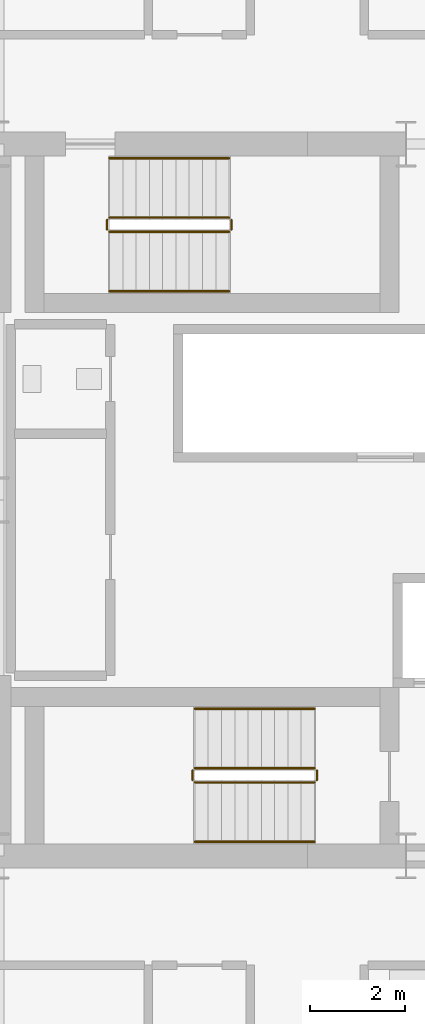
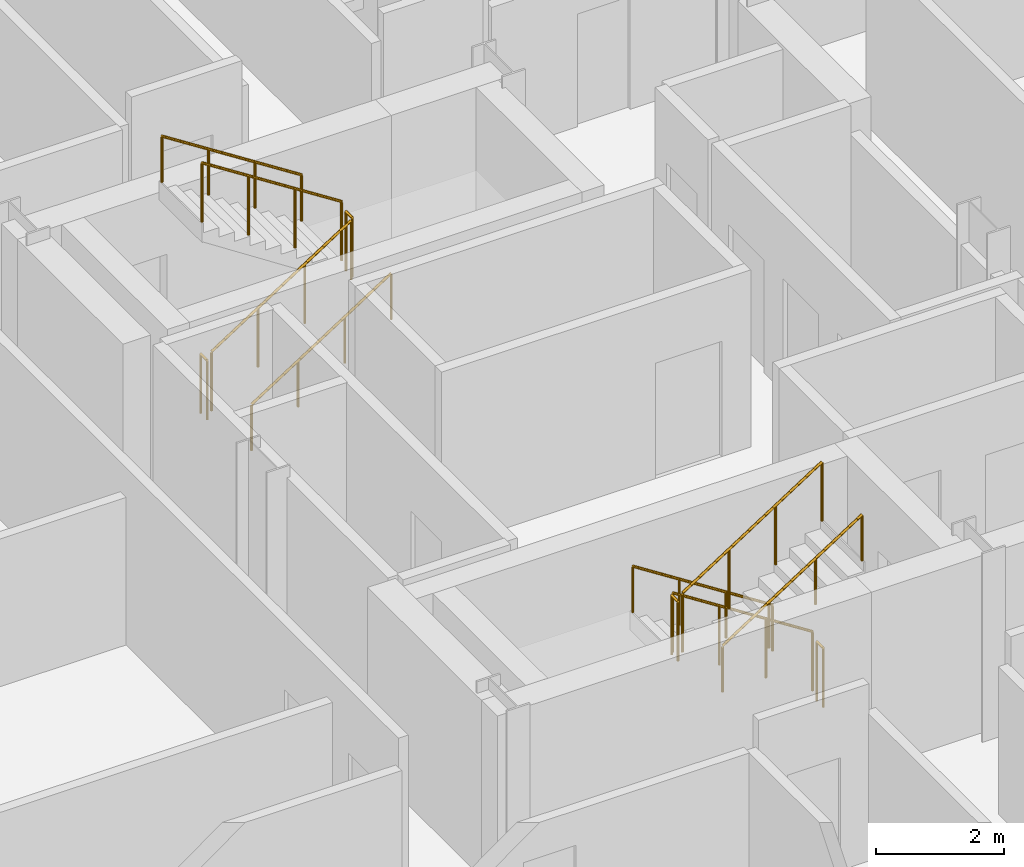
# One storey, part 18 of 19: 12 railings.
"""IFC4 building model written with IfcOpenShell, lengths in metres."""

from ifc_helpers import new_model, si_unit, direction, frame, origin, origin_2d, place, context, subcontext, project, spatial, circle, extrude, material, type_object, element, save


model = new_model("IFC4")

# Units and contexts
model_context = context("Model", 3, precision=1e-05, world=origin(), true_north=direction((0.0, 1.0)))
body_context = subcontext(model_context, "Body", "Model", "MODEL_VIEW")
ifc_project = project(units=[si_unit("LENGTHUNIT", "METRE"), si_unit("AREAUNIT", "SQUARE_METRE"), si_unit("VOLUMEUNIT", "CUBIC_METRE"), si_unit("PLANEANGLEUNIT", "RADIAN"), si_unit("MASSUNIT", "GRAM", prefix="KILO")], contexts=[model_context])

# Site, building, storey
site_placement = place(None, origin())
site = spatial("IfcSite", under=ifc_project, at=site_placement, CompositionType="ELEMENT")
building_placement = place(site_placement, origin())
building = spatial("IfcBuilding", under=site, at=building_placement, Name="Barlavira Tower and Art Museum", CompositionType="ELEMENT")
storey_placement = place(building_placement, frame((0.0, 0.0, 158.39990234375)))
storey = spatial("IfcBuildingStorey", under=building, at=storey_placement, Name="L40", CompositionType="ELEMENT", Elevation=158.39990234375)

# Railings
ifc_material = material(Name="Brushed stainless steel", Category="steel")
railing_type_1 = type_object("IfcRailingType", Name="Interior Void and Landing Guard Railing 1150", PredefinedType="GUARDRAIL", material=ifc_material)
railing_1_placement = place(storey_placement, frame((0.14990234375, -5.64990234375, 0.18017578125)))
element("IfcRailing", 1, at=railing_1_placement, inside=storey, type_object=railing_type_1, Name="L40 ST-T1 stair guard 1", PredefinedType="GUARDRAIL", context=body_context, shape_type="SweptSolid", body=[
    extrude(circle(Radius=0.02392578125, at=origin_2d()), frame((0.0, 0.0, 1.1259765625), z_axis=(-0.841199657755, 0.0, 0.540724639528), x_axis=(0.0, -1.0, 0.0)), (0.0, 0.0, 1.0), 2.995849609375),
    extrude(circle(Radius=0.02099609375, at=origin_2d()), origin(), (0.0, 0.0, 1.0), 1.101806640625),
    extrude(circle(Radius=0.02099609375, at=origin_2d()), frame((-0.840087890625, 0.0, 0.5400390625)), (0.0, 0.0, 1.0), 1.101806640625),
    extrude(circle(Radius=0.02099609375, at=origin_2d()), frame((-1.679931640625, 0.0, 1.079833984375)), (0.0, 0.0, 1.0), 1.101806640625),
    extrude(circle(Radius=0.02099609375, at=origin_2d()), frame((-2.52001953125, 0.0, 1.619873046875)), (0.0, 0.0, 1.0), 1.101806640625),
])
railing_2_placement = place(storey_placement, frame((-2.419921875, -5.699951171875, 1.800048828125)))
element("IfcRailing", 2, at=railing_2_placement, inside=storey, type_object=railing_type_1, Name="L40 ST-T1 stair guard 2", PredefinedType="GUARDRAIL", context=body_context, shape_type="SweptSolid", body=[
    extrude(circle(Radius=0.02392578125, at=origin_2d()), frame((0.0, 0.0, 1.1259765625), z_axis=(0.0, -1.0, 0.0), x_axis=(1.0, 0.0, 0.0)), (0.0, 0.0, 1.0), 0.199951171875),
    extrude(circle(Radius=0.02099609375, at=origin_2d()), origin(), (0.0, 0.0, 1.0), 1.101806640625),
    extrude(circle(Radius=0.02099609375, at=origin_2d()), frame((0.0, -0.199951171875, 0.0)), (0.0, 0.0, 1.0), 1.101806640625),
])
railing_3_placement = place(storey_placement, frame((-2.3701171875, -5.949951171875, 1.97998046875)))
element("IfcRailing", 3, at=railing_3_placement, inside=storey, type_object=railing_type_1, Name="L40 ST-T1 stair guard 3", PredefinedType="GUARDRAIL", context=body_context, shape_type="SweptSolid", body=[
    extrude(circle(Radius=0.02392578125, at=origin_2d()), frame((0.0, 0.0, 1.1259765625), z_axis=(0.841162588446, 0.0, 0.540782303519), x_axis=(0.0, 1.0, 0.0)), (0.0, 0.0, 1.0), 2.995849609375),
    extrude(circle(Radius=0.02099609375, at=origin_2d()), origin(), (0.0, 0.0, 1.0), 1.101806640625),
    extrude(circle(Radius=0.02099609375, at=origin_2d()), frame((0.840087890625, 0.0, 0.5400390625)), (0.0, 0.0, 1.0), 1.101806640625),
    extrude(circle(Radius=0.02099609375, at=origin_2d()), frame((1.679931640625, 0.0, 1.080078125)), (0.0, 0.0, 1.0), 1.101806640625),
    extrude(circle(Radius=0.02099609375, at=origin_2d()), frame((2.52001953125, 0.0, 1.6201171875)), (0.0, 0.0, 1.0), 1.101806640625),
])
railing_4_placement = place(storey_placement, frame((0.199951171875, -5.699951171875, 0.0)))
element("IfcRailing", 4, at=railing_4_placement, inside=storey, type_object=railing_type_1, Name="L40 ST-T1 stair guard 4", PredefinedType="GUARDRAIL", context=body_context, shape_type="SweptSolid", body=[
    extrude(circle(Radius=0.02392578125, at=origin_2d()), frame((0.0, 0.0, 1.1259765625), z_axis=(0.0, -1.0, 0.0), x_axis=(1.0, 0.0, 0.0)), (0.0, 0.0, 1.0), 0.199951171875),
    extrude(circle(Radius=0.02099609375, at=origin_2d()), origin(), (0.0, 0.0, 1.0), 1.101806640625),
    extrude(circle(Radius=0.02099609375, at=origin_2d()), frame((0.0, -0.199951171875, 0.0)), (0.0, 0.0, 1.0), 1.101806640625),
])
railing_5_placement = place(storey_placement, frame((-4.169921875, 5.64990234375, 0.18017578125)))
element("IfcRailing", 5, at=railing_5_placement, inside=storey, type_object=railing_type_1, Name="L40 ST-T2 stair guard 1", PredefinedType="GUARDRAIL", context=body_context, shape_type="SweptSolid", body=[
    extrude(circle(Radius=0.02392578125, at=origin_2d()), frame((0.0, 0.0, 1.1259765625), z_axis=(0.841199657755, 0.0, 0.540724639528), x_axis=(0.0, 1.0, 0.0)), (0.0, 0.0, 1.0), 2.995849609375),
    extrude(circle(Radius=0.02099609375, at=origin_2d()), origin(), (0.0, 0.0, 1.0), 1.101806640625),
    extrude(circle(Radius=0.02099609375, at=origin_2d()), frame((0.840087890625, 0.0, 0.5400390625)), (0.0, 0.0, 1.0), 1.101806640625),
    extrude(circle(Radius=0.02099609375, at=origin_2d()), frame((1.679931640625, 0.0, 1.079833984375)), (0.0, 0.0, 1.0), 1.101806640625),
    extrude(circle(Radius=0.02099609375, at=origin_2d()), frame((2.52001953125, 0.0, 1.619873046875)), (0.0, 0.0, 1.0), 1.101806640625),
])
railing_6_placement = place(storey_placement, frame((-1.60009765625, 5.699951171875, 1.800048828125)))
element("IfcRailing", 6, at=railing_6_placement, inside=storey, type_object=railing_type_1, Name="L40 ST-T2 stair guard 2", PredefinedType="GUARDRAIL", context=body_context, shape_type="SweptSolid", body=[
    extrude(circle(Radius=0.02392578125, at=origin_2d()), frame((0.0, 0.0, 1.1259765625), z_axis=(0.0, 1.0, 0.0), x_axis=(-1.0, 0.0, 0.0)), (0.0, 0.0, 1.0), 0.199951171875),
    extrude(circle(Radius=0.02099609375, at=origin_2d()), origin(), (0.0, 0.0, 1.0), 1.101806640625),
    extrude(circle(Radius=0.02099609375, at=origin_2d()), frame((0.0, 0.199951171875, 0.0)), (0.0, 0.0, 1.0), 1.101806640625),
])
railing_7_placement = place(storey_placement, frame((-1.64990234375, 5.949951171875, 1.97998046875)))
element("IfcRailing", 7, at=railing_7_placement, inside=storey, type_object=railing_type_1, Name="L40 ST-T2 stair guard 3", PredefinedType="GUARDRAIL", context=body_context, shape_type="SweptSolid", body=[
    extrude(circle(Radius=0.02392578125, at=origin_2d()), frame((0.0, 0.0, 1.1259765625), z_axis=(-0.841162588446, 0.0, 0.540782303519), x_axis=(0.0, -1.0, 0.0)), (0.0, 0.0, 1.0), 2.995849609375),
    extrude(circle(Radius=0.02099609375, at=origin_2d()), origin(), (0.0, 0.0, 1.0), 1.101806640625),
    extrude(circle(Radius=0.02099609375, at=origin_2d()), frame((-0.840087890625, 0.0, 0.5400390625)), (0.0, 0.0, 1.0), 1.101806640625),
    extrude(circle(Radius=0.02099609375, at=origin_2d()), frame((-1.679931640625, 0.0, 1.080078125)), (0.0, 0.0, 1.0), 1.101806640625),
    extrude(circle(Radius=0.02099609375, at=origin_2d()), frame((-2.52001953125, 0.0, 1.6201171875)), (0.0, 0.0, 1.0), 1.101806640625),
])
railing_8_placement = place(storey_placement, frame((-4.219970703125, 5.699951171875, 0.0)))
element("IfcRailing", 8, at=railing_8_placement, inside=storey, type_object=railing_type_1, Name="L40 ST-T2 stair guard 4", PredefinedType="GUARDRAIL", context=body_context, shape_type="SweptSolid", body=[
    extrude(circle(Radius=0.02392578125, at=origin_2d()), frame((0.0, 0.0, 1.1259765625), z_axis=(0.0, 1.0, 0.0), x_axis=(-1.0, 0.0, 0.0)), (0.0, 0.0, 1.0), 0.199951171875),
    extrude(circle(Radius=0.02099609375, at=origin_2d()), origin(), (0.0, 0.0, 1.0), 1.101806640625),
    extrude(circle(Radius=0.02099609375, at=origin_2d()), frame((0.0, 0.199951171875, 0.0)), (0.0, 0.0, 1.0), 1.101806640625),
])
railing_type_2 = type_object("IfcRailingType", Name="Stair Pitch Tubular Steel Handrail 920", PredefinedType="HANDRAIL", material=ifc_material)
railing_9_placement = place(storey_placement, frame((0.14990234375, -4.39990234375, 0.18017578125)))
element("IfcRailing", 9, at=railing_9_placement, inside=storey, type_object=railing_type_2, Name="L40 ST-T1 stair handrail 1", PredefinedType="HANDRAIL", context=body_context, shape_type="SweptSolid", body=[
    extrude(circle(Radius=0.02392578125, at=origin_2d()), frame((0.0, 0.0, 0.8759765625), z_axis=(-0.841199657755, 0.0, 0.540724639528), x_axis=(0.0, -1.0, 0.0)), (0.0, 0.0, 1.0), 2.995849609375),
    extrude(circle(Radius=0.02099609375, at=origin_2d()), origin(), (0.0, 0.0, 1.0), 0.851806640625),
    extrude(circle(Radius=0.02099609375, at=origin_2d()), frame((-0.840087890625, 0.0, 0.5400390625)), (0.0, 0.0, 1.0), 0.851806640625),
    extrude(circle(Radius=0.02099609375, at=origin_2d()), frame((-1.679931640625, 0.0, 1.079833984375)), (0.0, 0.0, 1.0), 0.851806640625),
    extrude(circle(Radius=0.02099609375, at=origin_2d()), frame((-2.52001953125, 0.0, 1.619873046875)), (0.0, 0.0, 1.0), 0.851806640625),
])
railing_10_placement = place(storey_placement, frame((-2.3701171875, -7.199951171875, 1.97998046875)))
element("IfcRailing", 10, at=railing_10_placement, inside=storey, type_object=railing_type_2, Name="L40 ST-T1 stair handrail 2", PredefinedType="HANDRAIL", context=body_context, shape_type="SweptSolid", body=[
    extrude(circle(Radius=0.02392578125, at=origin_2d()), frame((0.0, 0.0, 0.8759765625), z_axis=(0.841162588446, 0.0, 0.540782303519), x_axis=(0.0, 1.0, 0.0)), (0.0, 0.0, 1.0), 2.995849609375),
    extrude(circle(Radius=0.02099609375, at=origin_2d()), origin(), (0.0, 0.0, 1.0), 0.851806640625),
    extrude(circle(Radius=0.02099609375, at=origin_2d()), frame((0.840087890625, 0.0, 0.5400390625)), (0.0, 0.0, 1.0), 0.851806640625),
    extrude(circle(Radius=0.02099609375, at=origin_2d()), frame((1.679931640625, 0.0, 1.080078125)), (0.0, 0.0, 1.0), 0.851806640625),
    extrude(circle(Radius=0.02099609375, at=origin_2d()), frame((2.52001953125, 0.0, 1.6201171875)), (0.0, 0.0, 1.0), 0.851806640625),
])
railing_11_placement = place(storey_placement, frame((-4.169921875, 4.39990234375, 0.18017578125)))
element("IfcRailing", 11, at=railing_11_placement, inside=storey, type_object=railing_type_2, Name="L40 ST-T2 stair handrail 1", PredefinedType="HANDRAIL", context=body_context, shape_type="SweptSolid", body=[
    extrude(circle(Radius=0.02392578125, at=origin_2d()), frame((0.0, 0.0, 0.8759765625), z_axis=(0.841199657755, 0.0, 0.540724639528), x_axis=(0.0, 1.0, 0.0)), (0.0, 0.0, 1.0), 2.995849609375),
    extrude(circle(Radius=0.02099609375, at=origin_2d()), origin(), (0.0, 0.0, 1.0), 0.851806640625),
    extrude(circle(Radius=0.02099609375, at=origin_2d()), frame((0.840087890625, 0.0, 0.5400390625)), (0.0, 0.0, 1.0), 0.851806640625),
    extrude(circle(Radius=0.02099609375, at=origin_2d()), frame((1.679931640625, 0.0, 1.079833984375)), (0.0, 0.0, 1.0), 0.851806640625),
    extrude(circle(Radius=0.02099609375, at=origin_2d()), frame((2.52001953125, 0.0, 1.619873046875)), (0.0, 0.0, 1.0), 0.851806640625),
])
railing_12_placement = place(storey_placement, frame((-1.64990234375, 7.199951171875, 1.97998046875)))
element("IfcRailing", 12, at=railing_12_placement, inside=storey, type_object=railing_type_2, Name="L40 ST-T2 stair handrail 2", PredefinedType="HANDRAIL", context=body_context, shape_type="SweptSolid", body=[
    extrude(circle(Radius=0.02392578125, at=origin_2d()), frame((0.0, 0.0, 0.8759765625), z_axis=(-0.841162588446, 0.0, 0.540782303519), x_axis=(0.0, -1.0, 0.0)), (0.0, 0.0, 1.0), 2.995849609375),
    extrude(circle(Radius=0.02099609375, at=origin_2d()), origin(), (0.0, 0.0, 1.0), 0.851806640625),
    extrude(circle(Radius=0.02099609375, at=origin_2d()), frame((-0.840087890625, 0.0, 0.5400390625)), (0.0, 0.0, 1.0), 0.851806640625),
    extrude(circle(Radius=0.02099609375, at=origin_2d()), frame((-1.679931640625, 0.0, 1.080078125)), (0.0, 0.0, 1.0), 0.851806640625),
    extrude(circle(Radius=0.02099609375, at=origin_2d()), frame((-2.52001953125, 0.0, 1.6201171875)), (0.0, 0.0, 1.0), 0.851806640625),
])

save(model, "model.ifc")
